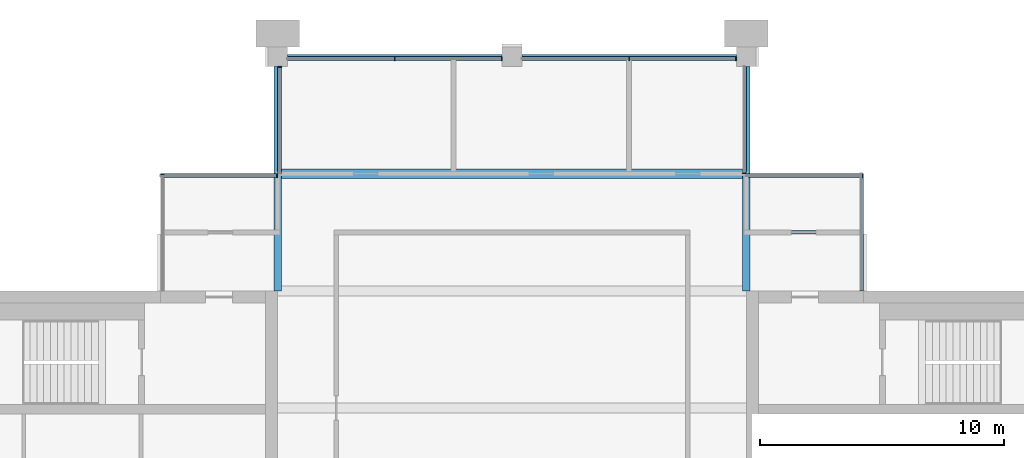
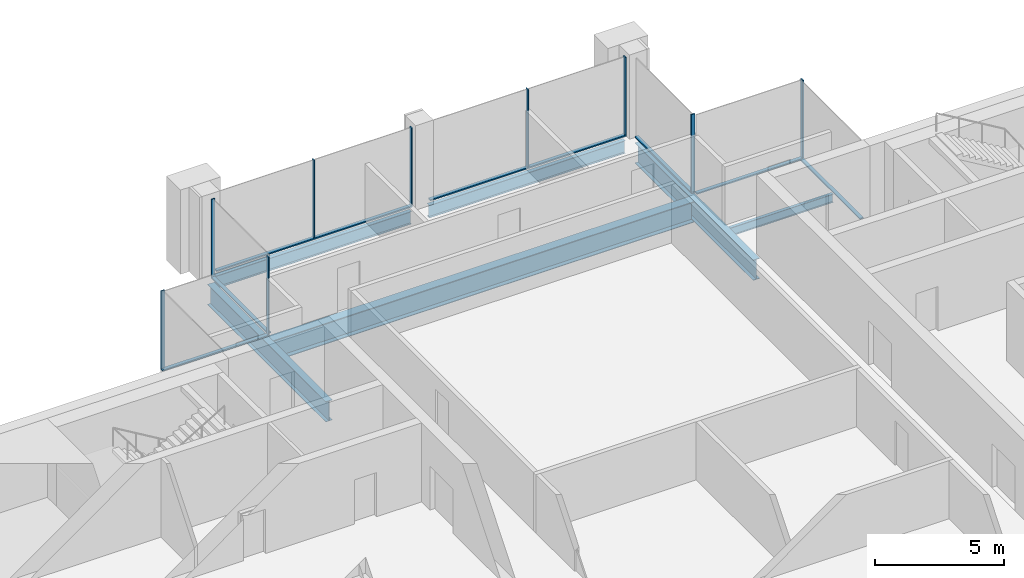
# One storey, part 7 of 12: 16 members, 6 beams, 8 elements without a shape of their own.
"""IFC4 building model written with IfcOpenShell, lengths in metres."""

import ifcopenshell
import ifcopenshell.guid

model = None  # the IFC model being written
_history = None  # IfcOwnerHistory: only IFC2X3 demands one
_inside = {}  # id of a spatial element -> (the spatial element, [elements in it])
_under = {}  # id of a project, library or spatial element -> (it, [spatial elements below it])
_declared = {}  # id of a project -> (the project, [libraries it declares])
_typed = {}  # id of a type object -> (the type object, [elements of that type])
_made_of = {}  # id of a material, layer set ... -> (it, [elements and type objects made of it])


def new_model(schema):
    """Start an empty IFC model of exactly this schema.

    Asked for "IFC4X3", IfcOpenShell would pick the latest addendum, in which some entities
    have other attributes; the version numbers below select the first issue.
    IFC2X3 requires an IfcOwnerHistory on every rooted entity: one is made here for all.
    """
    global model, _history
    if schema == "IFC4X3":
        model = ifcopenshell.file(schema_version=(4, 3, 0, 0))
    else:
        model = ifcopenshell.file(schema=schema)
    _inside.clear()
    _under.clear()
    _declared.clear()
    _typed.clear()
    _made_of.clear()
    _history = None
    if model.schema == "IFC2X3":
        org = make("IfcOrganization", Name="unknown")
        user = make(
            "IfcPersonAndOrganization",
            ThePerson=make("IfcPerson", FamilyName="unknown"),
            TheOrganization=org,
        )
        app = make(
            "IfcApplication",
            ApplicationDeveloper=org,
            Version="unknown",
            ApplicationFullName="unknown",
            ApplicationIdentifier="unknown",
        )
        _history = make(
            "IfcOwnerHistory",
            OwningUser=user,
            OwningApplication=app,
            ChangeAction="ADDED",
            CreationDate=0,
        )
    return model


def make(cls, **values):
    """One entity of the class cls with the attributes given. An attribute that is None is left unset."""
    return model.create_entity(
        cls, **{name: value for name, value in values.items() if value is not None}
    )


def rooted(cls, **values):
    """An entity with a GlobalId (a new one), such as an element, a storey or a relation."""
    return make(cls, GlobalId=ifcopenshell.guid.new(), OwnerHistory=_history, **values)


def si_unit(unit_type, name, prefix=None):
    """IfcSIUnit, for example si_unit("LENGTHUNIT", "METRE", prefix="MILLI")."""
    return make("IfcSIUnit", UnitType=unit_type, Prefix=prefix, Name=name)


def assignment(units):
    """IfcUnitAssignment: the units of a project."""
    return None if units is None else make("IfcUnitAssignment", Units=units)


def point(xyz):
    """IfcCartesianPoint."""
    return None if xyz is None else make("IfcCartesianPoint", Coordinates=xyz)


def direction(xyz):
    """IfcDirection."""
    return None if xyz is None else make("IfcDirection", DirectionRatios=xyz)


def frame(location, z_axis=None, x_axis=None):
    """IfcAxis2Placement3D, a coordinate frame: its origin and axes. An axis left out is left unset."""
    return make(
        "IfcAxis2Placement3D",
        Location=point(location),
        Axis=direction(z_axis),
        RefDirection=direction(x_axis),
    )


def frame_2d(location, x_axis=None):
    """IfcAxis2Placement2D, a coordinate frame in the plane: its origin and x axis."""
    return make(
        "IfcAxis2Placement2D", Location=point(location), RefDirection=direction(x_axis)
    )


def origin():
    """The frame at (0, 0, 0) with its axes left unset."""
    return frame((0.0, 0.0, 0.0))


def origin_2d():
    """The frame at (0, 0) in the plane with its x axis left unset."""
    return frame_2d((0.0, 0.0))


def place(relative_to, where):
    """IfcLocalPlacement: puts the frame where relative to a parent placement (None: the world)."""
    return make(
        "IfcLocalPlacement", PlacementRelTo=relative_to, RelativePlacement=where
    )


def context(
    kind, dimensions, precision=None, world=None, true_north=None, identifier=None
):
    """IfcGeometricRepresentationContext, for example the 3D "Model" context."""
    return make(
        "IfcGeometricRepresentationContext",
        ContextIdentifier=identifier,
        ContextType=kind,
        CoordinateSpaceDimension=dimensions,
        Precision=precision,
        WorldCoordinateSystem=world,
        TrueNorth=true_north,
    )


def subcontext(parent, identifier, kind, view, scale=None):
    """IfcGeometricRepresentationSubContext, for example "Body" below "Model"."""
    return make(
        "IfcGeometricRepresentationSubContext",
        ContextIdentifier=identifier,
        ContextType=kind,
        ParentContext=parent,
        TargetScale=scale,
        TargetView=view,
    )


def project(units=None, contexts=None):
    """IfcProject with its units and contexts."""
    return rooted(
        "IfcProject",
        Name="project",
        RepresentationContexts=contexts,
        UnitsInContext=assignment(units),
    )


def spatial(cls, under=None, at=None, **own):
    """A site, building, storey or space (cls), placed at a placement, below another one or the project."""
    s = rooted(cls, ObjectPlacement=at, **own)
    if under is not None:
        _under.setdefault(under.id(), (under, []))[1].append(s)
    return s


def profile(cls, at=None, kind="AREA", **sizes):
    """A parametric profile (cls). Its sizes go by their IFC names, for example OverallWidth=200.0."""
    return make(cls, ProfileType=kind, Position=at, **sizes)


def rectangle(**sizes):
    """IfcRectangleProfileDef."""
    return profile("IfcRectangleProfileDef", **sizes)


def i_section(**sizes):
    """IfcIShapeProfileDef."""
    return profile("IfcIShapeProfileDef", **sizes)


def extrude(swept, where, along, depth):
    """IfcExtrudedAreaSolid: the profile swept, set in the frame where, extruded along a direction by depth."""
    return make(
        "IfcExtrudedAreaSolid",
        SweptArea=swept,
        Position=where,
        ExtrudedDirection=direction(along),
        Depth=depth,
    )


def shape(context_of_items, identifier, shape_type, items):
    """IfcShapeRepresentation: the items that make up one representation, for example the "Body"."""
    return make(
        "IfcShapeRepresentation",
        ContextOfItems=context_of_items,
        RepresentationIdentifier=identifier,
        RepresentationType=shape_type,
        Items=items,
    )


def material(Name=None, Category=None):
    """IfcMaterial."""
    return make("IfcMaterial", Name=Name, Category=Category)


def material_profile(
    of_material, cross_section, Name=None, Category=None, Priority=None
):
    """IfcMaterialProfile: a cross section and its material."""
    return make(
        "IfcMaterialProfile",
        Name=Name,
        Material=of_material,
        Profile=cross_section,
        Priority=Priority,
        Category=Category,
    )


def profile_set(profiles, Name=None, composite=None):
    """IfcMaterialProfileSet."""
    return make(
        "IfcMaterialProfileSet",
        Name=Name,
        MaterialProfiles=profiles,
        CompositeProfile=composite,
    )


def made_of(thing, what):
    """Note that an element or type object is made of a material, layer set ...; save() writes the relation."""
    if what is not None:
        _made_of.setdefault(what.id(), (what, []))[1].append(thing)
    return thing


def type_object(cls, material=None, **own):
    """A type object (cls), such as IfcWallType, which elements share."""
    return made_of(rooted(cls, **own), material)


def element(
    cls,
    number,
    at=None,
    inside=None,
    cuts=None,
    type_object=None,
    material=None,
    context=None,
    identifier="Body",
    shape_type=None,
    held_by="IfcProductDefinitionShape",
    body=None,
    shapes=None,
    **own,
):
    """One element of the class cls, such as IfcWall. Its Tag is "e" and its number.

    at: its placement. inside: the storey or other place that contains it. cuts: it is an
    opening in that element (IfcRelVoidsElement). A single representation is given by context,
    identifier, shape_type and body (its items); several are given by shapes. held_by: the class
    of the entity that holds the representations. save() writes the other relations.
    """
    e = rooted(cls, Tag="e%d" % number, ObjectPlacement=at, **own)
    if body is not None:
        shapes = [shape(context, identifier, shape_type, body)]
    if shapes is not None:
        e.Representation = make(held_by, Representations=shapes)
    if inside is not None:
        _inside.setdefault(inside.id(), (inside, []))[1].append(e)
    if cuts is not None:
        rooted(
            "IfcRelVoidsElement", RelatingBuildingElement=cuts, RelatedOpeningElement=e
        )
    if type_object is not None:
        _typed.setdefault(type_object.id(), (type_object, []))[1].append(e)
    return made_of(e, material)


def aggregate(whole, parts):
    """IfcRelAggregates: a whole, such as a stair, and the parts it consists of."""
    return rooted("IfcRelAggregates", RelatingObject=whole, RelatedObjects=parts)


def save(model, path):
    """Write the relations noted so far, then the file.

    IfcRelAggregates (storeys below a building ...), IfcRelContainedInSpatialStructure (elements
    in a storey), IfcRelDefinesByType, IfcRelAssociatesMaterial and IfcRelDeclares: one each for
    every whole, place, type object, material and project.
    """
    for whole, parts in _under.values():
        aggregate(whole, parts)
    for where, things in _inside.values():
        rooted(
            "IfcRelContainedInSpatialStructure",
            RelatedElements=things,
            RelatingStructure=where,
        )
    for kind, things in _typed.values():
        rooted("IfcRelDefinesByType", RelatedObjects=things, RelatingType=kind)
    for what, things in _made_of.values():
        rooted("IfcRelAssociatesMaterial", RelatedObjects=things, RelatingMaterial=what)
    for by, libraries in _declared.values():
        rooted("IfcRelDeclares", RelatingContext=by, RelatedDefinitions=libraries)
    model.write(path)


model = new_model("IFC4")

# Units and contexts
model_context = context("Model", 3, precision=1e-05, world=origin(), true_north=direction((0.0, 1.0)))
body_context = subcontext(model_context, "Body", "Model", "MODEL_VIEW")
ifc_project = project(units=[si_unit("LENGTHUNIT", "METRE"), si_unit("AREAUNIT", "SQUARE_METRE"), si_unit("VOLUMEUNIT", "CUBIC_METRE"), si_unit("PLANEANGLEUNIT", "RADIAN"), si_unit("MASSUNIT", "GRAM", prefix="KILO")], contexts=[model_context])

# Site, building, storey
site_placement = place(None, origin())
site = spatial("IfcSite", under=ifc_project, at=site_placement, CompositionType="ELEMENT")
building_placement = place(site_placement, origin())
building = spatial("IfcBuilding", under=site, at=building_placement, Name="Baori Bourse Tower", CompositionType="ELEMENT")
storey_placement = place(building_placement, frame((0.0, 0.0, 370.300048828125)))
storey = spatial("IfcBuildingStorey", under=building, at=storey_placement, Name="L83", CompositionType="ELEMENT", Elevation=370.300048828125)

# Curtain wall, member
ifc_material_1 = material(Name="Pale anodised aluminium", Category="aluminium")
curtain_wall_type = type_object("IfcCurtainWallType", Name="CW3 Curtain wall", PredefinedType="NOTDEFINED", material=ifc_material_1)
curtain_wall_1_placement = place(storey_placement, origin())
curtain_wall_1 = element("IfcCurtainWall", 1, at=curtain_wall_1_placement, inside=storey, type_object=curtain_wall_type, Name="Curtain wall CW3 L83 3", PredefinedType="NOTDEFINED")
ifc_material_2 = material(Name="Pale anodised aluminium", Category="aluminium")
ifc_material_profile_1 = material_profile(ifc_material_2, rectangle(XDim=0.159912109375, YDim=0.050048828125, at=origin_2d()), Name="Mullion 50x160")
ifc_profile_set_1 = profile_set([ifc_material_profile_1], Name="Pale anodised aluminium")
member_type_1 = type_object("IfcMemberType", Name="CW3 Curtain wall mullion", PredefinedType="MULLION", material=ifc_profile_set_1)
member_1_placement = place(storey_placement, frame((43.175048828125, 43.1201171875, 0.06005859375), z_axis=(0.0, 0.0, 1.0), x_axis=(0.0, -1.0, 0.0)))
member_1 = element("IfcMember", 2, at=member_1_placement, type_object=member_type_1, Name="Curtain wall CW3 mullion", PredefinedType="MULLION", context=body_context, shape_type="SweptSolid", body=[
    extrude(rectangle(XDim=0.159912109375, YDim=0.050048828125, at=origin_2d()), origin(), (0.0, 0.0, 1.0), 3.68994140625),
])

curtain_wall_2_placement = place(storey_placement, origin())
curtain_wall_2 = element("IfcCurtainWall", 3, at=curtain_wall_2_placement, inside=storey, type_object=curtain_wall_type, Name="Curtain wall CW3 L83 4", PredefinedType="NOTDEFINED")
member_2_placement = place(storey_placement, frame((38.320068359375, 43.22509765625, 0.06005859375), z_axis=(0.0, 0.0, 1.0), x_axis=(-1.0, 0.0, 0.0)))
member_2 = element("IfcMember", 4, at=member_2_placement, type_object=member_type_1, Name="Curtain wall CW3 mullion", PredefinedType="MULLION", context=body_context, shape_type="SweptSolid", body=[
    extrude(rectangle(XDim=0.159912109375, YDim=0.050048828125, at=origin_2d()), origin(), (0.0, 0.0, 1.0), 3.68994140625),
])

# Curtain wall, members
curtain_wall_3_placement = place(storey_placement, origin())
curtain_wall_3 = element("IfcCurtainWall", 5, at=curtain_wall_3_placement, inside=storey, type_object=curtain_wall_type, Name="Curtain wall CW3 L83 5", PredefinedType="NOTDEFINED")
member_3_placement = place(storey_placement, frame((37.97509765625, 47.919921875, 0.06005859375), z_axis=(0.0, 0.0, 1.0), x_axis=(0.0, -1.0, 0.0)))
member_3 = element("IfcMember", 6, at=member_3_placement, type_object=member_type_1, Name="Curtain wall CW3 mullion", PredefinedType="MULLION", context=body_context, shape_type="SweptSolid", body=[
    extrude(rectangle(XDim=0.159912109375, YDim=0.050048828125, at=origin_2d()), origin(), (0.0, 0.0, 1.0), 3.68994140625),
])
member_4_placement = place(storey_placement, frame((33.60009765625, 47.919921875, 0.06005859375), z_axis=(0.0, 0.0, 1.0), x_axis=(0.0, -1.0, 0.0)))
member_4 = element("IfcMember", 7, at=member_4_placement, type_object=member_type_1, Name="Curtain wall CW3 mullion", PredefinedType="MULLION", context=body_context, shape_type="SweptSolid", body=[
    extrude(rectangle(XDim=0.159912109375, YDim=0.050048828125, at=origin_2d()), origin(), (0.0, 0.0, 1.0), 3.68994140625),
])

curtain_wall_4_placement = place(storey_placement, origin())
curtain_wall_4 = element("IfcCurtainWall", 8, at=curtain_wall_4_placement, inside=storey, type_object=curtain_wall_type, Name="Curtain wall CW3 L83 6", PredefinedType="NOTDEFINED")
member_5_placement = place(storey_placement, frame((28.375, 47.919921875, 0.06005859375), z_axis=(0.0, 0.0, 1.0), x_axis=(0.0, -1.0, 0.0)))
member_5 = element("IfcMember", 9, at=member_5_placement, type_object=member_type_1, Name="Curtain wall CW3 mullion", PredefinedType="MULLION", context=body_context, shape_type="SweptSolid", body=[
    extrude(rectangle(XDim=0.159912109375, YDim=0.050048828125, at=origin_2d()), origin(), (0.0, 0.0, 1.0), 3.68994140625),
])
member_6_placement = place(storey_placement, frame((24.0, 47.919921875, 0.06005859375), z_axis=(0.0, 0.0, 1.0), x_axis=(0.0, -1.0, 0.0)))
member_6 = element("IfcMember", 10, at=member_6_placement, type_object=member_type_1, Name="Curtain wall CW3 mullion", PredefinedType="MULLION", context=body_context, shape_type="SweptSolid", body=[
    extrude(rectangle(XDim=0.159912109375, YDim=0.050048828125, at=origin_2d()), origin(), (0.0, 0.0, 1.0), 3.68994140625),
])

# Curtain wall, member
curtain_wall_5_placement = place(storey_placement, origin())
curtain_wall_5 = element("IfcCurtainWall", 11, at=curtain_wall_5_placement, inside=storey, type_object=curtain_wall_type, Name="Curtain wall CW3 L83 7", PredefinedType="NOTDEFINED")
member_7_placement = place(storey_placement, frame((19.280029296875, 47.574951171875, 0.06005859375), z_axis=(0.0, 0.0, 1.0), x_axis=(1.0, 0.0, 0.0)))
member_7 = element("IfcMember", 12, at=member_7_placement, type_object=member_type_1, Name="Curtain wall CW3 mullion", PredefinedType="MULLION", context=body_context, shape_type="SweptSolid", body=[
    extrude(rectangle(XDim=0.159912109375, YDim=0.050048828125, at=origin_2d()), origin(), (0.0, 0.0, 1.0), 3.68994140625),
])

curtain_wall_6_placement = place(storey_placement, origin())
curtain_wall_6 = element("IfcCurtainWall", 13, at=curtain_wall_6_placement, inside=storey, type_object=curtain_wall_type, Name="Curtain wall CW3 L83 8", PredefinedType="NOTDEFINED")
member_8_placement = place(storey_placement, frame((19.175048828125, 43.1201171875, 0.06005859375), z_axis=(0.0, 0.0, 1.0), x_axis=(0.0, -1.0, 0.0)))
member_8 = element("IfcMember", 14, at=member_8_placement, type_object=member_type_1, Name="Curtain wall CW3 mullion", PredefinedType="MULLION", context=body_context, shape_type="SweptSolid", body=[
    extrude(rectangle(XDim=0.159912109375, YDim=0.050048828125, at=origin_2d()), origin(), (0.0, 0.0, 1.0), 3.68994140625),
])

curtain_wall_7_placement = place(storey_placement, origin())
curtain_wall_7 = element("IfcCurtainWall", 15, at=curtain_wall_7_placement, inside=storey, type_object=curtain_wall_type, Name="Curtain wall CW3 L83 9", PredefinedType="NOTDEFINED")
member_9_placement = place(storey_placement, frame((14.47998046875, 43.175048828125, 0.06005859375), z_axis=(0.0, 0.0, 1.0), x_axis=(1.0, 0.0, 0.0)))
member_9 = element("IfcMember", 16, at=member_9_placement, type_object=member_type_1, Name="Curtain wall CW3 mullion", PredefinedType="MULLION", context=body_context, shape_type="SweptSolid", body=[
    extrude(rectangle(XDim=0.159912109375, YDim=0.050048828125, at=origin_2d()), origin(), (0.0, 0.0, 1.0), 3.68994140625),
])
aggregate(curtain_wall_7, [member_9])

curtain_wall_8_placement = place(storey_placement, origin())
curtain_wall_8 = element("IfcCurtainWall", 17, at=curtain_wall_8_placement, inside=storey, type_object=curtain_wall_type, Name="Curtain wall CW3 L83 2", PredefinedType="NOTDEFINED")
ifc_material_3 = material(Name="Pale anodised aluminium", Category="aluminium")
ifc_material_profile_2 = material_profile(ifc_material_3, rectangle(XDim=0.159912109375, YDim=0.06005859375, at=origin_2d()), Name="Transom 60x160")
ifc_profile_set_2 = profile_set([ifc_material_profile_2], Name="Pale anodised aluminium")
member_type_2 = type_object("IfcMemberType", Name="CW3 Curtain wall transom", PredefinedType="USERDEFINED", material=ifc_profile_set_2)
member_10_placement = place(storey_placement, frame((43.1201171875, 38.39990234375, 0.030029296875), z_axis=(0.0, 1.0, 0.0), x_axis=(-1.0, 0.0, 0.0)))
member_10 = element("IfcMember", 18, at=member_10_placement, type_object=member_type_2, Name="Curtain wall CW3 sill rail", ObjectType="TRANSOM", PredefinedType="USERDEFINED", context=body_context, shape_type="SweptSolid", body=[
    extrude(rectangle(XDim=0.159912109375, YDim=0.06005859375, at=origin_2d()), origin(), (0.0, 0.0, 1.0), 4.800048828125),
])
aggregate(curtain_wall_8, [member_10])

# Member
member_11_placement = place(storey_placement, frame((43.199951171875, 43.1201171875, 0.030029296875), z_axis=(-1.0, 0.0, 0.0), x_axis=(0.0, -1.0, 0.0)))
member_11 = element("IfcMember", 19, at=member_11_placement, type_object=member_type_2, Name="Curtain wall CW3 sill rail", ObjectType="TRANSOM", PredefinedType="USERDEFINED", context=body_context, shape_type="SweptSolid", body=[
    extrude(rectangle(XDim=0.159912109375, YDim=0.06005859375, at=origin_2d()), origin(), (0.0, 0.0, 1.0), 4.800048828125),
])

aggregate(curtain_wall_1, [member_11, member_1])

member_12_placement = place(storey_placement, frame((38.320068359375, 43.199951171875, 0.030029296875), z_axis=(0.0, 1.0, 0.0), x_axis=(-1.0, 0.0, 0.0)))
member_12 = element("IfcMember", 20, at=member_12_placement, type_object=member_type_2, Name="Curtain wall CW3 sill rail", ObjectType="TRANSOM", PredefinedType="USERDEFINED", context=body_context, shape_type="SweptSolid", body=[
    extrude(rectangle(XDim=0.159912109375, YDim=0.06005859375, at=origin_2d()), origin(), (0.0, 0.0, 1.0), 4.400146484375),
])

aggregate(curtain_wall_2, [member_12, member_2])

member_13_placement = place(storey_placement, frame((38.0, 47.919921875, 0.030029296875), z_axis=(-1.0, 0.0, 0.0), x_axis=(0.0, -1.0, 0.0)))
member_13 = element("IfcMember", 21, at=member_13_placement, type_object=member_type_2, Name="Curtain wall CW3 sill rail", ObjectType="TRANSOM", PredefinedType="USERDEFINED", context=body_context, shape_type="SweptSolid", body=[
    extrude(rectangle(XDim=0.159912109375, YDim=0.06005859375, at=origin_2d()), origin(), (0.0, 0.0, 1.0), 8.800048828125),
])

aggregate(curtain_wall_3, [member_13, member_3, member_4])

member_14_placement = place(storey_placement, frame((28.39990234375, 47.919921875, 0.030029296875), z_axis=(-1.0, 0.0, 0.0), x_axis=(0.0, -1.0, 0.0)))
member_14 = element("IfcMember", 22, at=member_14_placement, type_object=member_type_2, Name="Curtain wall CW3 sill rail", ObjectType="TRANSOM", PredefinedType="USERDEFINED", context=body_context, shape_type="SweptSolid", body=[
    extrude(rectangle(XDim=0.159912109375, YDim=0.06005859375, at=origin_2d()), origin(), (0.0, 0.0, 1.0), 8.7998046875),
])

aggregate(curtain_wall_4, [member_14, member_5, member_6])

member_15_placement = place(storey_placement, frame((19.280029296875, 47.60009765625, 0.030029296875), z_axis=(0.0, -1.0, 0.0), x_axis=(1.0, 0.0, 0.0)))
member_15 = element("IfcMember", 23, at=member_15_placement, type_object=member_type_2, Name="Curtain wall CW3 sill rail", ObjectType="TRANSOM", PredefinedType="USERDEFINED", context=body_context, shape_type="SweptSolid", body=[
    extrude(rectangle(XDim=0.159912109375, YDim=0.06005859375, at=origin_2d()), origin(), (0.0, 0.0, 1.0), 4.400146484375),
])

aggregate(curtain_wall_5, [member_15, member_7])

member_16_placement = place(storey_placement, frame((19.199951171875, 43.1201171875, 0.030029296875), z_axis=(-1.0, 0.0, 0.0), x_axis=(0.0, -1.0, 0.0)))
member_16 = element("IfcMember", 24, at=member_16_placement, type_object=member_type_2, Name="Curtain wall CW3 sill rail", ObjectType="TRANSOM", PredefinedType="USERDEFINED", context=body_context, shape_type="SweptSolid", body=[
    extrude(rectangle(XDim=0.159912109375, YDim=0.06005859375, at=origin_2d()), origin(), (0.0, 0.0, 1.0), 4.800048828125),
])

aggregate(curtain_wall_6, [member_16, member_8])

# Beams
ifc_material_4 = material(Name="Steel A992 Gr 50", Category="steel")
ifc_material_profile_3 = material_profile(ifc_material_4, i_section(OverallWidth=0.177978515625, OverallDepth=0.599365234375, WebThickness=0.010009765625, FlangeThickness=0.012939453125, at=origin_2d()), Name="W24x55")
ifc_profile_set_3 = profile_set([ifc_material_profile_3], Name="Steel A992 Gr 50")
beam_type_1 = type_object("IfcBeamType", Name="Edge beam W24x55", PredefinedType="BEAM", material=ifc_profile_set_3)
beam_1_placement = place(storey_placement, frame((19.60009765625, 48.0, -0.5498046875), z_axis=(1.0, 0.0, 0.0), x_axis=(0.0, 1.0, 0.0)))
element("IfcBeam", 25, at=beam_1_placement, inside=storey, type_object=beam_type_1, Name="Edge beam L83", PredefinedType="BEAM", context=body_context, shape_type="SweptSolid", body=[
    extrude(i_section(OverallWidth=0.177978515625, OverallDepth=0.599365234375, WebThickness=0.010009765625, FlangeThickness=0.012939453125, at=origin_2d()), origin(), (0.0, 0.0, 1.0), 8.7998046875),
])
beam_2_placement = place(storey_placement, frame((29.199951171875, 48.0, -0.5498046875), z_axis=(1.0, 0.0, 0.0), x_axis=(0.0, 1.0, 0.0)))
element("IfcBeam", 26, at=beam_2_placement, inside=storey, type_object=beam_type_1, Name="Edge beam L83", PredefinedType="BEAM", context=body_context, shape_type="SweptSolid", body=[
    extrude(i_section(OverallWidth=0.177978515625, OverallDepth=0.599365234375, WebThickness=0.010009765625, FlangeThickness=0.012939453125, at=origin_2d()), origin(), (0.0, 0.0, 1.0), 8.800048828125),
])
ifc_material_5 = material(Name="Steel A992 Gr 50", Category="steel")
ifc_material_profile_4 = material_profile(ifc_material_5, i_section(OverallWidth=0.4013671875, OverallDepth=0.990478515625, WebThickness=0.0166015625, FlangeThickness=0.031005859375, at=origin_2d()), Name="W40x215")
ifc_profile_set_4 = profile_set([ifc_material_profile_4], Name="Steel A992 Gr 50")
beam_type_2 = type_object("IfcBeamType", Name="Floor beam W40x215", PredefinedType="BEAM", material=ifc_profile_set_4)
beam_3_placement = place(storey_placement, frame((19.349853515625, 43.199951171875, -0.745361328125), z_axis=(1.0, 0.0, 0.0), x_axis=(0.0, 1.0, 0.0)))
element("IfcBeam", 27, at=beam_3_placement, inside=storey, type_object=beam_type_2, Name="Floor beam L83", PredefinedType="BEAM", context=body_context, shape_type="SweptSolid", body=[
    extrude(i_section(OverallWidth=0.4013671875, OverallDepth=0.990478515625, WebThickness=0.0166015625, FlangeThickness=0.031005859375, at=origin_2d()), origin(), (0.0, 0.0, 1.0), 18.900390625),
])
ifc_material_6 = material(Name="Steel A992 Gr 50", Category="steel")
ifc_material_profile_5 = material_profile(ifc_material_6, i_section(OverallWidth=0.2998046875, OverallDepth=0.97021484375, WebThickness=0.01611328125, FlangeThickness=0.02099609375, at=origin_2d()), Name="W40x149")
ifc_profile_set_5 = profile_set([ifc_material_profile_5], Name="Steel A992 Gr 50")
beam_type_3 = type_object("IfcBeamType", Name="Girder W40x149", PredefinedType="BEAM", material=ifc_profile_set_5)
for number, where, z_axis, x_axis, name in (
    (28, (19.199951171875, 38.39990234375, -0.735107421875), (0.0, 1.0, 0.0), (-1.0, 0.0, 0.0), "Girder L83"),
    (29, (38.39990234375, 38.39990234375, -0.735107421875), (0.0, 1.0, 0.0), (-1.0, 0.0, 0.0), "Girder L83"),
):
    element("IfcBeam", number, at=place(storey_placement, frame(where, z_axis=z_axis, x_axis=x_axis)), inside=storey, type_object=beam_type_3, Name=name, PredefinedType="BEAM", context=body_context, shape_type="SweptSolid", body=[
        extrude(i_section(OverallWidth=0.2998046875, OverallDepth=0.97021484375, WebThickness=0.01611328125, FlangeThickness=0.02099609375, at=origin_2d()), origin(), (0.0, 0.0, 1.0), 9.2001953125),
    ])
ifc_material_7 = material(Name="Steel A992 Gr 50", Category="steel")
ifc_material_profile_6 = material_profile(ifc_material_7, i_section(OverallWidth=0.140380859375, OverallDepth=0.40380859375, WebThickness=0.007080078125, FlangeThickness=0.01123046875, at=origin_2d()), Name="W16x31")
ifc_profile_set_6 = profile_set([ifc_material_profile_6], Name="Steel A992 Gr 50")
beam_type_4 = type_object("IfcBeamType", Name="Trimmer beam W16x31", PredefinedType="BEAM", material=ifc_profile_set_6)
beam_4_placement = place(storey_placement, frame((38.5498046875, 40.800048828125, -0.451904296875), z_axis=(1.0, 0.0, 0.0), x_axis=(0.0, 1.0, 0.0)))
element("IfcBeam", 30, at=beam_4_placement, inside=storey, type_object=beam_type_4, Name="Trimmer beam L83", PredefinedType="BEAM", context=body_context, shape_type="SweptSolid", body=[
    extrude(i_section(OverallWidth=0.140380859375, OverallDepth=0.40380859375, WebThickness=0.007080078125, FlangeThickness=0.01123046875, at=origin_2d()), origin(), (0.0, 0.0, 1.0), 4.650146484375),
])

save(model, "model.ifc")
